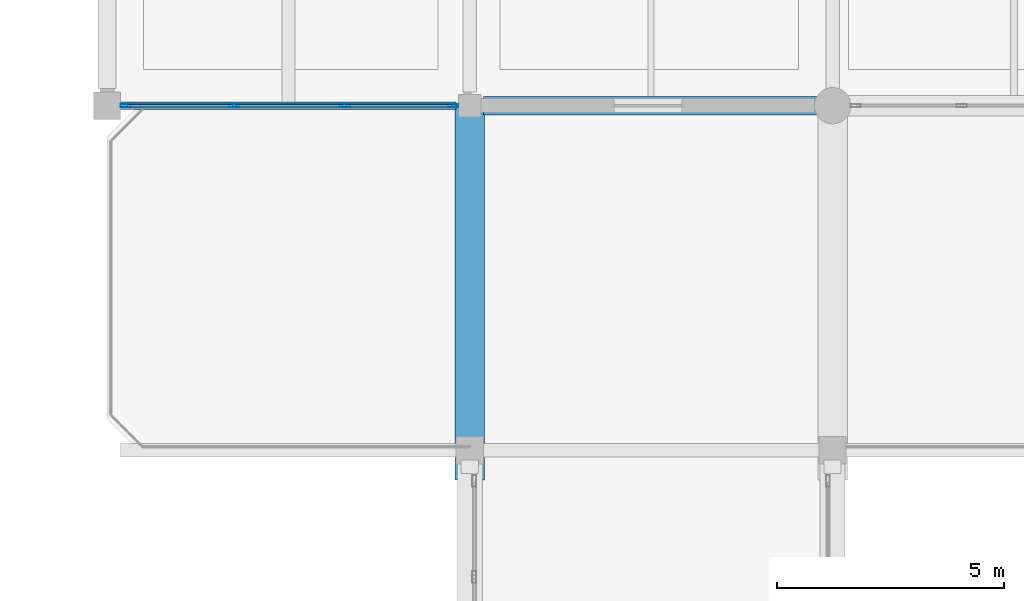
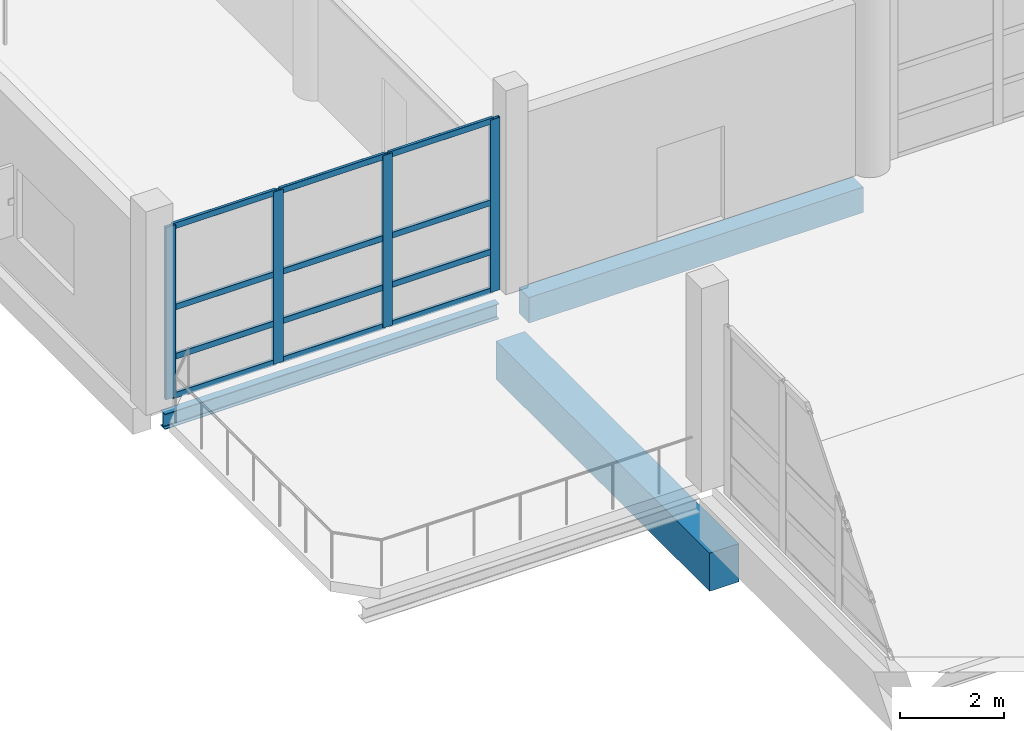
# One storey, part 38 of 141: 16 members, 3 beams, 1 element without a shape of its own.
"""IFC4 building model written with IfcOpenShell, lengths in metres."""

from ifc_helpers import new_model, si_unit, direction, frame, origin, origin_2d, place, context, subcontext, project, spatial, rectangle, hollow_rectangle, i_section, extrude, material, material_profile, profile_set, type_object, element, aggregate, save


model = new_model("IFC4")

# Units and contexts
model_context = context("Model", 3, precision=1e-05, world=origin(), true_north=direction((0.0, 1.0)))
body_context = subcontext(model_context, "Body", "Model", "MODEL_VIEW")
ifc_project = project(units=[si_unit("LENGTHUNIT", "METRE"), si_unit("AREAUNIT", "SQUARE_METRE"), si_unit("VOLUMEUNIT", "CUBIC_METRE"), si_unit("PLANEANGLEUNIT", "RADIAN"), si_unit("MASSUNIT", "GRAM", prefix="KILO")], contexts=[model_context])

# Site, building, storey
site_placement = place(None, origin())
site = spatial("IfcSite", under=ifc_project, at=site_placement, CompositionType="ELEMENT")
building_placement = place(site_placement, origin())
building = spatial("IfcBuilding", under=site, at=building_placement, Name="Khelvaren Railside Concert Hall", CompositionType="ELEMENT")
storey_placement = place(building_placement, frame((0.0, 0.0, 10.199951171875)))
storey = spatial("IfcBuildingStorey", under=building, at=storey_placement, Name="L02", CompositionType="ELEMENT", Elevation=10.199951171875)

# Beam
ifc_material_1 = material(Name="Concrete C40/50", Category="concrete")
ifc_material_profile_1 = material_profile(ifc_material_1, rectangle(XDim=0.64990234375, YDim=0.89990234375, at=origin_2d()), Name="RCB 650x900")
ifc_profile_set_1 = profile_set([ifc_material_profile_1], Name="Concrete C40/50")
beam_type_1 = type_object("IfcBeamType", Name="BM18", PredefinedType="BEAM", material=ifc_profile_set_1)
beam_1_placement = place(storey_placement, frame((8.0, 67.75, -1.659912109375), z_axis=(0.0, 1.0, 0.0), x_axis=(-1.0, 0.0, 0.0)))
element("IfcBeam", 1, at=beam_1_placement, inside=storey, type_object=beam_type_1, Name="West Court Chamber Link Bridge L02 Seismic Corbel Seat 1", PredefinedType="BEAM", context=body_context, shape_type="SweptSolid", body=[
    extrude(rectangle(XDim=0.64990234375, YDim=0.89990234375, at=origin_2d()), origin(), (0.0, 0.0, 1.0), 8.25),
])

# Curtain wall, members
ifc_material_2 = material(Name="Double-glazed clear foyer glass", Category="glass")
curtain_wall_type = type_object("IfcCurtainWallType", Name="CW83", PredefinedType="USERDEFINED", material=ifc_material_2)
curtain_wall_placement = place(storey_placement, origin())
curtain_wall = element("IfcCurtainWall", 2, at=curtain_wall_placement, inside=storey, type_object=curtain_wall_type, Name="Unitised Curtain Wall CW-V4-L02-S-0", ObjectType="UNITISED CURTAIN WALL", PredefinedType="USERDEFINED")
ifc_material_3 = material(Name="Anodised architectural aluminium 6063-T6", Category="aluminium")
ifc_material_profile_2 = material_profile(ifc_material_3, hollow_rectangle(XDim=0.074951171875, YDim=0.219970703125, WallThickness=0.0048828125, InnerFilletRadius=0.0029296875, OuterFilletRadius=0.0048828125, at=origin_2d()), Name="CWM 75x220x5")
ifc_profile_set_2 = profile_set([ifc_material_profile_2], Name="Anodised architectural aluminium 6063-T6")
member_type_1 = type_object("IfcMemberType", Name="CWM13", PredefinedType="MULLION", material=ifc_profile_set_2)
member_1_placement = place(storey_placement, frame((7.639892578125, 76.0, 0.0), z_axis=(0.0, 0.0, 1.0), x_axis=(0.0, -1.0, 0.0)))
member_1 = element("IfcMember", 3, at=member_1_placement, type_object=member_type_1, Name="CW83 mullion 1", PredefinedType="MULLION", context=body_context, shape_type="SweptSolid", body=[
    extrude(hollow_rectangle(XDim=0.074951171875, YDim=0.219970703125, WallThickness=0.0048828125, InnerFilletRadius=0.0029296875, OuterFilletRadius=0.0048828125, at=origin_2d()), origin(), (0.0, 0.0, 1.0), 4.06005859375),
])
member_2_placement = place(storey_placement, frame((5.242431640625, 76.0, 0.0), z_axis=(0.0, 0.0, 1.0), x_axis=(0.0, -1.0, 0.0)))
member_2 = element("IfcMember", 4, at=member_2_placement, type_object=member_type_1, Name="CW83 mullion 2", PredefinedType="MULLION", context=body_context, shape_type="SweptSolid", body=[
    extrude(hollow_rectangle(XDim=0.074951171875, YDim=0.219970703125, WallThickness=0.0048828125, InnerFilletRadius=0.0029296875, OuterFilletRadius=0.0048828125, at=origin_2d()), origin(), (0.0, 0.0, 1.0), 4.06005859375),
])
member_3_placement = place(storey_placement, frame((2.8076171875, 76.0, 0.0), z_axis=(0.0, 0.0, 1.0), x_axis=(0.0, -1.0, 0.0)))
member_3 = element("IfcMember", 5, at=member_3_placement, type_object=member_type_1, Name="CW83 mullion 3", PredefinedType="MULLION", context=body_context, shape_type="SweptSolid", body=[
    extrude(hollow_rectangle(XDim=0.074951171875, YDim=0.219970703125, WallThickness=0.0048828125, InnerFilletRadius=0.0029296875, OuterFilletRadius=0.0048828125, at=origin_2d()), origin(), (0.0, 0.0, 1.0), 4.06005859375),
])
member_4_placement = place(storey_placement, frame((0.409912109375, 76.0, 0.0), z_axis=(0.0, 0.0, 1.0), x_axis=(0.0, -1.0, 0.0)))
member_4 = element("IfcMember", 6, at=member_4_placement, type_object=member_type_1, Name="CW83 mullion 4", PredefinedType="MULLION", context=body_context, shape_type="SweptSolid", body=[
    extrude(hollow_rectangle(XDim=0.074951171875, YDim=0.219970703125, WallThickness=0.0048828125, InnerFilletRadius=0.0029296875, OuterFilletRadius=0.0048828125, at=origin_2d()), origin(), (0.0, 0.0, 1.0), 4.06005859375),
])
ifc_material_profile_3 = material_profile(ifc_material_3, hollow_rectangle(XDim=0.06494140625, YDim=0.139892578125, WallThickness=0.00390625, InnerFilletRadius=0.001953125, OuterFilletRadius=0.00390625, at=origin_2d()), Name="CWT 65x140x4")
ifc_profile_set_3 = profile_set([ifc_material_profile_3], Name="Anodised architectural aluminium 6063-T6")
member_type_2 = type_object("IfcMemberType", Name="CWT72", PredefinedType="USERDEFINED", material=ifc_profile_set_3)
member_5_placement = place(storey_placement, frame((7.6025390625, 76.0, 0.032470703125), z_axis=(-1.0, 0.0, 0.0), x_axis=(0.0, -1.0, 0.0)))
member_5 = element("IfcMember", 7, at=member_5_placement, type_object=member_type_2, Name="CW83 transom 1.1", ObjectType="TRANSOM", PredefinedType="USERDEFINED", context=body_context, shape_type="SweptSolid", body=[
    extrude(hollow_rectangle(XDim=0.06494140625, YDim=0.139892578125, WallThickness=0.00390625, InnerFilletRadius=0.001953125, OuterFilletRadius=0.00390625, at=origin_2d()), origin(), (0.0, 0.0, 1.0), 2.322509765625),
])
member_6_placement = place(storey_placement, frame((7.6025390625, 76.0, 0.949951171875), z_axis=(-1.0, 0.0, 0.0), x_axis=(0.0, -1.0, 0.0)))
member_6 = element("IfcMember", 8, at=member_6_placement, type_object=member_type_2, Name="CW83 transom 1.2", ObjectType="TRANSOM", PredefinedType="USERDEFINED", context=body_context, shape_type="SweptSolid", body=[
    extrude(hollow_rectangle(XDim=0.06494140625, YDim=0.139892578125, WallThickness=0.00390625, InnerFilletRadius=0.001953125, OuterFilletRadius=0.00390625, at=origin_2d()), origin(), (0.0, 0.0, 1.0), 2.322509765625),
])
member_7_placement = place(storey_placement, frame((7.6025390625, 76.0, 2.111328125), z_axis=(-1.0, 0.0, 0.0), x_axis=(0.0, -1.0, 0.0)))
member_7 = element("IfcMember", 9, at=member_7_placement, type_object=member_type_2, Name="CW83 transom 1.3", ObjectType="TRANSOM", PredefinedType="USERDEFINED", context=body_context, shape_type="SweptSolid", body=[
    extrude(hollow_rectangle(XDim=0.06494140625, YDim=0.139892578125, WallThickness=0.00390625, InnerFilletRadius=0.001953125, OuterFilletRadius=0.00390625, at=origin_2d()), origin(), (0.0, 0.0, 1.0), 2.322509765625),
])
member_8_placement = place(storey_placement, frame((7.6025390625, 76.0, 4.027587890625), z_axis=(-1.0, 0.0, 0.0), x_axis=(0.0, -1.0, 0.0)))
member_8 = element("IfcMember", 10, at=member_8_placement, type_object=member_type_2, Name="CW83 transom 1.4", ObjectType="TRANSOM", PredefinedType="USERDEFINED", context=body_context, shape_type="SweptSolid", body=[
    extrude(hollow_rectangle(XDim=0.06494140625, YDim=0.139892578125, WallThickness=0.00390625, InnerFilletRadius=0.001953125, OuterFilletRadius=0.00390625, at=origin_2d()), origin(), (0.0, 0.0, 1.0), 2.322509765625),
])
member_9_placement = place(storey_placement, frame((5.205078125, 76.0, 0.032470703125), z_axis=(-1.0, 0.0, 0.0), x_axis=(0.0, -1.0, 0.0)))
member_9 = element("IfcMember", 11, at=member_9_placement, type_object=member_type_2, Name="CW83 transom 2.1", ObjectType="TRANSOM", PredefinedType="USERDEFINED", context=body_context, shape_type="SweptSolid", body=[
    extrude(hollow_rectangle(XDim=0.06494140625, YDim=0.139892578125, WallThickness=0.00390625, InnerFilletRadius=0.001953125, OuterFilletRadius=0.00390625, at=origin_2d()), origin(), (0.0, 0.0, 1.0), 2.360107421875),
])
member_10_placement = place(storey_placement, frame((5.205078125, 76.0, 0.949951171875), z_axis=(-1.0, 0.0, 0.0), x_axis=(0.0, -1.0, 0.0)))
member_10 = element("IfcMember", 12, at=member_10_placement, type_object=member_type_2, Name="CW83 transom 2.2", ObjectType="TRANSOM", PredefinedType="USERDEFINED", context=body_context, shape_type="SweptSolid", body=[
    extrude(hollow_rectangle(XDim=0.06494140625, YDim=0.139892578125, WallThickness=0.00390625, InnerFilletRadius=0.001953125, OuterFilletRadius=0.00390625, at=origin_2d()), origin(), (0.0, 0.0, 1.0), 2.360107421875),
])
member_11_placement = place(storey_placement, frame((5.205078125, 76.0, 2.111328125), z_axis=(-1.0, 0.0, 0.0), x_axis=(0.0, -1.0, 0.0)))
member_11 = element("IfcMember", 13, at=member_11_placement, type_object=member_type_2, Name="CW83 transom 2.3", ObjectType="TRANSOM", PredefinedType="USERDEFINED", context=body_context, shape_type="SweptSolid", body=[
    extrude(hollow_rectangle(XDim=0.06494140625, YDim=0.139892578125, WallThickness=0.00390625, InnerFilletRadius=0.001953125, OuterFilletRadius=0.00390625, at=origin_2d()), origin(), (0.0, 0.0, 1.0), 2.360107421875),
])
member_12_placement = place(storey_placement, frame((5.205078125, 76.0, 4.027587890625), z_axis=(-1.0, 0.0, 0.0), x_axis=(0.0, -1.0, 0.0)))
member_12 = element("IfcMember", 14, at=member_12_placement, type_object=member_type_2, Name="CW83 transom 2.4", ObjectType="TRANSOM", PredefinedType="USERDEFINED", context=body_context, shape_type="SweptSolid", body=[
    extrude(hollow_rectangle(XDim=0.06494140625, YDim=0.139892578125, WallThickness=0.00390625, InnerFilletRadius=0.001953125, OuterFilletRadius=0.00390625, at=origin_2d()), origin(), (0.0, 0.0, 1.0), 2.360107421875),
])
member_13_placement = place(storey_placement, frame((2.77001953125, 76.0, 0.032470703125), z_axis=(-1.0, 0.0, 0.0), x_axis=(0.0, -1.0, 0.0)))
member_13 = element("IfcMember", 15, at=member_13_placement, type_object=member_type_2, Name="CW83 transom 3.1", ObjectType="TRANSOM", PredefinedType="USERDEFINED", context=body_context, shape_type="SweptSolid", body=[
    extrude(hollow_rectangle(XDim=0.06494140625, YDim=0.139892578125, WallThickness=0.00390625, InnerFilletRadius=0.001953125, OuterFilletRadius=0.00390625, at=origin_2d()), origin(), (0.0, 0.0, 1.0), 2.322509765625),
])
member_14_placement = place(storey_placement, frame((2.77001953125, 76.0, 0.949951171875), z_axis=(-1.0, 0.0, 0.0), x_axis=(0.0, -1.0, 0.0)))
member_14 = element("IfcMember", 16, at=member_14_placement, type_object=member_type_2, Name="CW83 transom 3.2", ObjectType="TRANSOM", PredefinedType="USERDEFINED", context=body_context, shape_type="SweptSolid", body=[
    extrude(hollow_rectangle(XDim=0.06494140625, YDim=0.139892578125, WallThickness=0.00390625, InnerFilletRadius=0.001953125, OuterFilletRadius=0.00390625, at=origin_2d()), origin(), (0.0, 0.0, 1.0), 2.322509765625),
])
member_15_placement = place(storey_placement, frame((2.77001953125, 76.0, 2.111328125), z_axis=(-1.0, 0.0, 0.0), x_axis=(0.0, -1.0, 0.0)))
member_15 = element("IfcMember", 17, at=member_15_placement, type_object=member_type_2, Name="CW83 transom 3.3", ObjectType="TRANSOM", PredefinedType="USERDEFINED", context=body_context, shape_type="SweptSolid", body=[
    extrude(hollow_rectangle(XDim=0.06494140625, YDim=0.139892578125, WallThickness=0.00390625, InnerFilletRadius=0.001953125, OuterFilletRadius=0.00390625, at=origin_2d()), origin(), (0.0, 0.0, 1.0), 2.322509765625),
])
member_16_placement = place(storey_placement, frame((2.77001953125, 76.0, 4.027587890625), z_axis=(-1.0, 0.0, 0.0), x_axis=(0.0, -1.0, 0.0)))
member_16 = element("IfcMember", 18, at=member_16_placement, type_object=member_type_2, Name="CW83 transom 3.4", ObjectType="TRANSOM", PredefinedType="USERDEFINED", context=body_context, shape_type="SweptSolid", body=[
    extrude(hollow_rectangle(XDim=0.06494140625, YDim=0.139892578125, WallThickness=0.00390625, InnerFilletRadius=0.001953125, OuterFilletRadius=0.00390625, at=origin_2d()), origin(), (0.0, 0.0, 1.0), 2.322509765625),
])
aggregate(curtain_wall, [member_1, member_2, member_3, member_4, member_5, member_6, member_7, member_8, member_9, member_10, member_11, member_12, member_13, member_14, member_15, member_16])

# Beams
ifc_material_4 = material(Name="Steel S355", Category="steel")
ifc_material_profile_4 = material_profile(ifc_material_4, i_section(OverallWidth=0.169921875, OverallDepth=0.360107421875, WebThickness=0.008056640625, FlangeThickness=0.0126953125, FilletRadius=0.01806640625, at=origin_2d()), Name="IPE 360")
ifc_profile_set_4 = profile_set([ifc_material_profile_4], Name="Steel S355")
beam_type_2 = type_object("IfcBeamType", Name="SP74", PredefinedType="SPANDREL", material=ifc_profile_set_4)
beam_2_placement = place(storey_placement, frame((0.25, 76.0, -0.469970703125), z_axis=(1.0, 0.0, 0.0), x_axis=(0.0, 1.0, 0.0)))
element("IfcBeam", 19, at=beam_2_placement, inside=storey, type_object=beam_type_2, Name="V4 L02 Spandrel X2.1", PredefinedType="SPANDREL", context=body_context, shape_type="SweptSolid", body=[
    extrude(i_section(OverallWidth=0.169921875, OverallDepth=0.360107421875, WebThickness=0.008056640625, FlangeThickness=0.0126953125, FilletRadius=0.01806640625, at=origin_2d()), origin(), (0.0, 0.0, 1.0), 7.449951171875),
])
ifc_material_profile_5 = material_profile(ifc_material_1, rectangle(XDim=0.39990234375, YDim=0.60009765625, at=origin_2d()), Name="RCB 400x600")
ifc_profile_set_5 = profile_set([ifc_material_profile_5], Name="Concrete C40/50")
beam_type_3 = type_object("IfcBeamType", Name="SP75", PredefinedType="SPANDREL", material=ifc_profile_set_5)
beam_3_placement = place(storey_placement, frame((8.300048828125, 76.0, -0.58984375), z_axis=(1.0, 0.0, 0.0), x_axis=(0.0, 1.0, 0.0)))
element("IfcBeam", 20, at=beam_3_placement, inside=storey, type_object=beam_type_3, Name="V4 L02 Spandrel X2.2", PredefinedType="SPANDREL", context=body_context, shape_type="SweptSolid", body=[
    extrude(rectangle(XDim=0.39990234375, YDim=0.60009765625, at=origin_2d()), origin(), (0.0, 0.0, 1.0), 7.449951171875),
])

save(model, "model.ifc")
